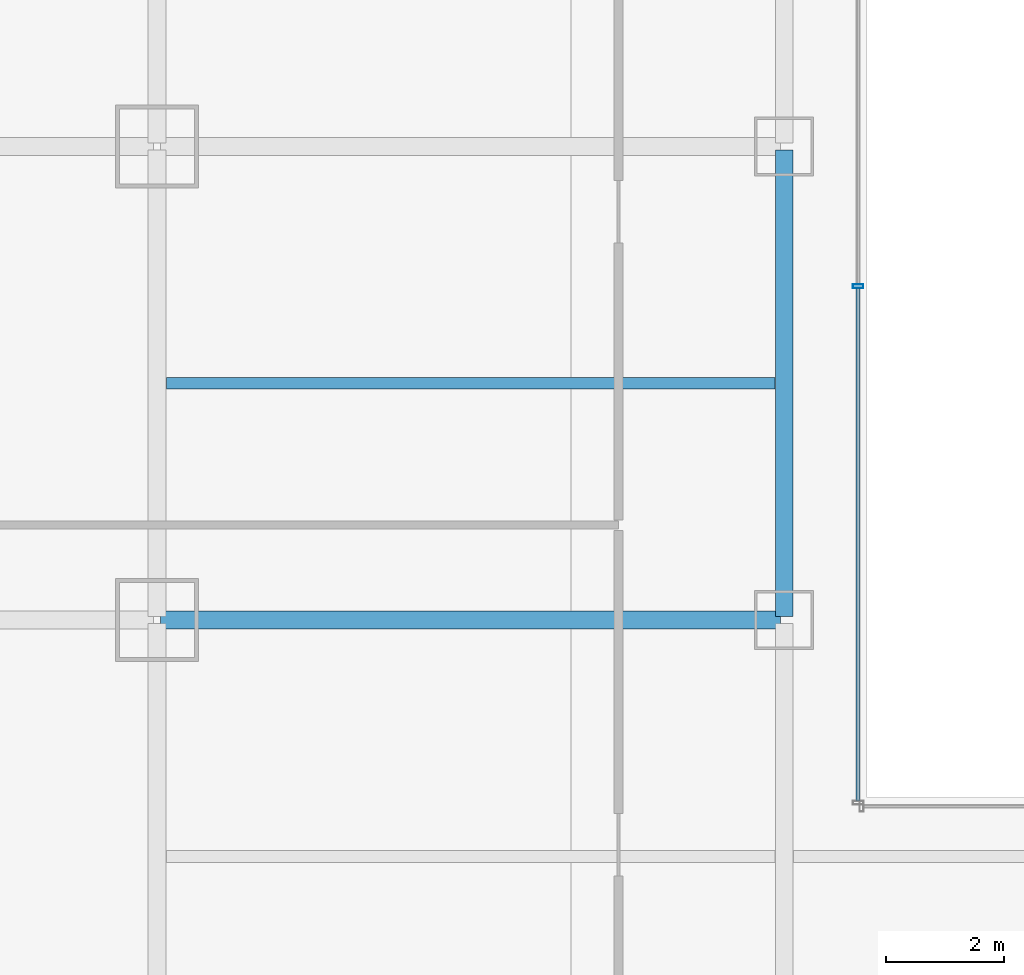
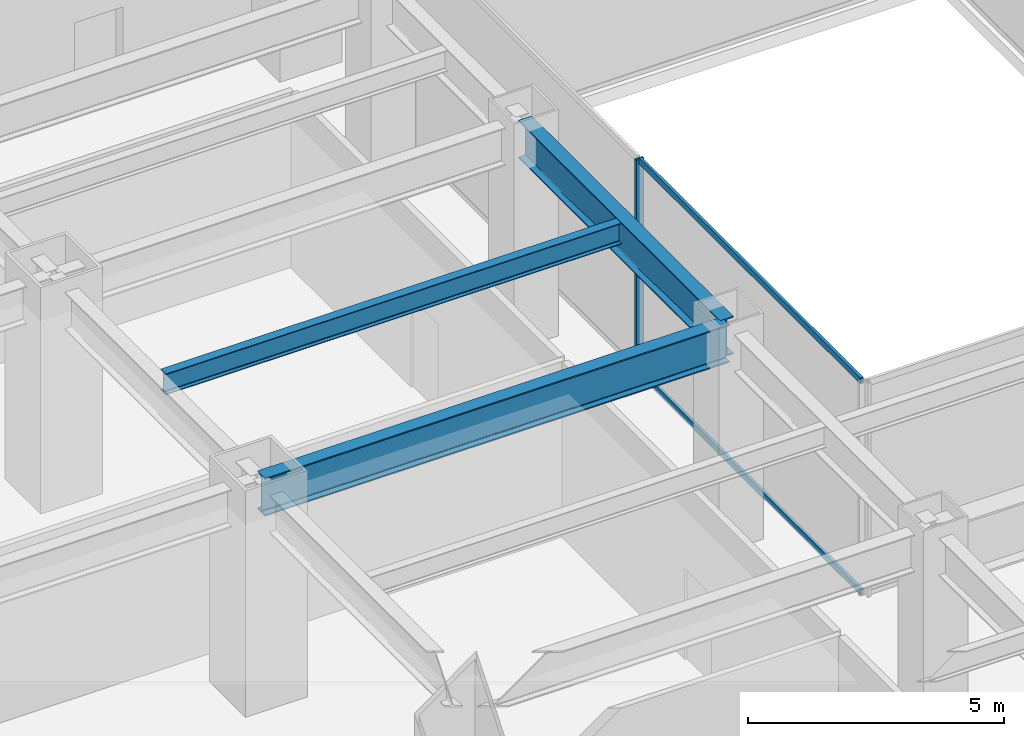
# One storey, part 13 of 52: 3 beams, 3 members, 1 element without a shape of its own.
"""IFC4 building model written with IfcOpenShell, lengths in metres."""

from ifc_helpers import new_model, si_unit, direction, frame, origin, origin_2d, place, context, subcontext, project, spatial, hollow_rectangle, i_section, extrude, material, material_profile, profile_set, type_object, element, aggregate, save


model = new_model("IFC4")

# Units and contexts
model_context = context("Model", 3, precision=1e-05, world=origin(), true_north=direction((0.0, 1.0)))
body_context = subcontext(model_context, "Body", "Model", "MODEL_VIEW")
ifc_project = project(units=[si_unit("LENGTHUNIT", "METRE"), si_unit("AREAUNIT", "SQUARE_METRE"), si_unit("VOLUMEUNIT", "CUBIC_METRE"), si_unit("PLANEANGLEUNIT", "RADIAN"), si_unit("MASSUNIT", "GRAM", prefix="KILO")], contexts=[model_context])

# Site, building, storey
site_placement = place(None, origin())
site = spatial("IfcSite", under=ifc_project, at=site_placement, CompositionType="ELEMENT")
building_placement = place(site_placement, origin())
building = spatial("IfcBuilding", under=site, at=building_placement, Name="Saevonmaru Cultural Tower", CompositionType="ELEMENT")
storey_placement = place(building_placement, frame((0.0, 0.0, 16.800048828125)))
storey = spatial("IfcBuildingStorey", under=building, at=storey_placement, Name="L03", CompositionType="ELEMENT", Elevation=16.800048828125)

# Beams
ifc_material_1 = material(Name="Steel SM420", Category="steel")
ifc_material_profile_1 = material_profile(ifc_material_1, i_section(OverallWidth=0.300048828125, OverallDepth=0.89990234375, WebThickness=0.01611328125, FlangeThickness=0.028076171875, FilletRadius=0.028076171875, at=origin_2d()), Name="H-900x300x16x28")
ifc_profile_set_1 = profile_set([ifc_material_profile_1], Name="Steel SM420")
beam_type_1 = type_object("IfcBeamType", Name="BM-G-H900", PredefinedType="BEAM", material=ifc_profile_set_1)
beam_1_placement = place(storey_placement, frame((22.800048828125, 24.06005859375, 4.64990234375), z_axis=(0.0, 1.0, 0.0), x_axis=(-1.0, 0.0, 0.0)))
element("IfcBeam", 1, at=beam_1_placement, inside=storey, type_object=beam_type_1, Name="L03 Podium Girder NS2-4", PredefinedType="BEAM", context=body_context, shape_type="SweptSolid", body=[
    extrude(i_section(OverallWidth=0.300048828125, OverallDepth=0.89990234375, WebThickness=0.01611328125, FlangeThickness=0.028076171875, FilletRadius=0.028076171875, at=origin_2d()), origin(), (0.0, 0.0, 1.0), 7.8798828125),
])
beam_2_placement = place(storey_placement, frame((12.260009765625, 24.0, 4.64990234375), z_axis=(1.0, 0.0, 0.0), x_axis=(0.0, 1.0, 0.0)))
element("IfcBeam", 2, at=beam_2_placement, inside=storey, type_object=beam_type_1, Name="L03 Gallery Girder W-3", PredefinedType="BEAM", context=body_context, shape_type="SweptSolid", body=[
    extrude(i_section(OverallWidth=0.300048828125, OverallDepth=0.89990234375, WebThickness=0.01611328125, FlangeThickness=0.028076171875, FilletRadius=0.028076171875, at=origin_2d()), origin(), (0.0, 0.0, 1.0), 10.47998046875),
])
ifc_material_2 = material(Name="Steel SM355", Category="steel")
ifc_material_profile_2 = material_profile(ifc_material_2, i_section(OverallWidth=0.199951171875, OverallDepth=0.5, WebThickness=0.010009765625, FlangeThickness=0.01611328125, FilletRadius=0.02001953125, at=origin_2d()), Name="H-500x200x10x16")
ifc_profile_set_2 = profile_set([ifc_material_profile_2], Name="Steel SM355")
beam_type_2 = type_object("IfcBeamType", Name="BM-J-H500", PredefinedType="JOIST", material=ifc_profile_set_2)
beam_3_placement = place(storey_placement, frame((12.35791015625, 28.0, 4.849853515625), z_axis=(1.0, 0.0, 0.0), x_axis=(0.0, 1.0, 0.0)))
element("IfcBeam", 3, at=beam_3_placement, inside=storey, type_object=beam_type_2, Name="L03 Secondary Floor Joist JW-3", PredefinedType="JOIST", context=body_context, shape_type="SweptSolid", body=[
    extrude(i_section(OverallWidth=0.199951171875, OverallDepth=0.5, WebThickness=0.010009765625, FlangeThickness=0.01611328125, FilletRadius=0.02001953125, at=origin_2d()), origin(), (0.0, 0.0, 1.0), 10.2841796875),
])

# Curtain wall, members
ifc_material_3 = material(Name="Satin Bronze Anodised Aluminium", Category="aluminium")
curtain_wall_type = type_object("IfcCurtainWallType", Name="CW-ATR-GLZ", PredefinedType="NOTDEFINED", material=ifc_material_3)
curtain_wall_placement = place(storey_placement, origin())
curtain_wall = element("IfcCurtainWall", 4, at=curtain_wall_placement, inside=storey, type_object=curtain_wall_type, Name="L03 Vertical Atrium Glazed Smoke Screen 4", PredefinedType="NOTDEFINED")
ifc_material_profile_3 = material_profile(ifc_material_3, hollow_rectangle(XDim=0.06494140625, YDim=0.179931640625, WallThickness=0.00390625, at=origin_2d()), Name="ALU-MULL-180x65x4")
ifc_profile_set_3 = profile_set([ifc_material_profile_3], Name="Satin Bronze Anodised Aluminium")
member_type_1 = type_object("IfcMemberType", Name="ML-CW-INT-180x65", PredefinedType="MULLION", material=ifc_profile_set_3)
member_1_placement = place(storey_placement, frame((24.050048828125, 29.639892578125, 0.0), z_axis=(0.0, 0.0, 1.0), x_axis=(0.0, -1.0, 0.0)))
member_1 = element("IfcMember", 5, at=member_1_placement, type_object=member_type_1, Name="CW-ATR-L03-4 mullion 2", PredefinedType="MULLION", context=body_context, shape_type="SweptSolid", body=[
    extrude(hollow_rectangle(XDim=0.06494140625, YDim=0.179931640625, WallThickness=0.00390625, at=origin_2d()), origin(), (0.0, 0.0, 1.0), 5.099853515625),
])
ifc_material_profile_4 = material_profile(ifc_material_3, hollow_rectangle(XDim=0.06494140625, YDim=0.14990234375, WallThickness=0.00390625, at=origin_2d()), Name="ALU-TRAN-150x65x4")
ifc_profile_set_4 = profile_set([ifc_material_profile_4], Name="Satin Bronze Anodised Aluminium")
member_type_2 = type_object("IfcMemberType", Name="TR-CW-INT-150x65", PredefinedType="USERDEFINED", material=ifc_profile_set_4)
member_2_placement = place(storey_placement, frame((24.050048828125, 29.607421875, 0.032470703125), z_axis=(0.0, -1.0, 0.0), x_axis=(1.0, 0.0, 0.0)))
member_2 = element("IfcMember", 6, at=member_2_placement, type_object=member_type_2, Name="CW-ATR-L03-4 transom 2.1", ObjectType="TRANSOM", PredefinedType="USERDEFINED", context=body_context, shape_type="SweptSolid", body=[
    extrude(hollow_rectangle(XDim=0.06494140625, YDim=0.14990234375, WallThickness=0.00390625, at=origin_2d()), origin(), (0.0, 0.0, 1.0), 8.6650390625),
])
member_3_placement = place(storey_placement, frame((24.050048828125, 29.607421875, 5.0673828125), z_axis=(0.0, -1.0, 0.0), x_axis=(1.0, 0.0, 0.0)))
member_3 = element("IfcMember", 7, at=member_3_placement, type_object=member_type_2, Name="CW-ATR-L03-4 transom 2.2", ObjectType="TRANSOM", PredefinedType="USERDEFINED", context=body_context, shape_type="SweptSolid", body=[
    extrude(hollow_rectangle(XDim=0.06494140625, YDim=0.14990234375, WallThickness=0.00390625, at=origin_2d()), origin(), (0.0, 0.0, 1.0), 8.6650390625),
])
aggregate(curtain_wall, [member_1, member_2, member_3])

save(model, "model.ifc")
